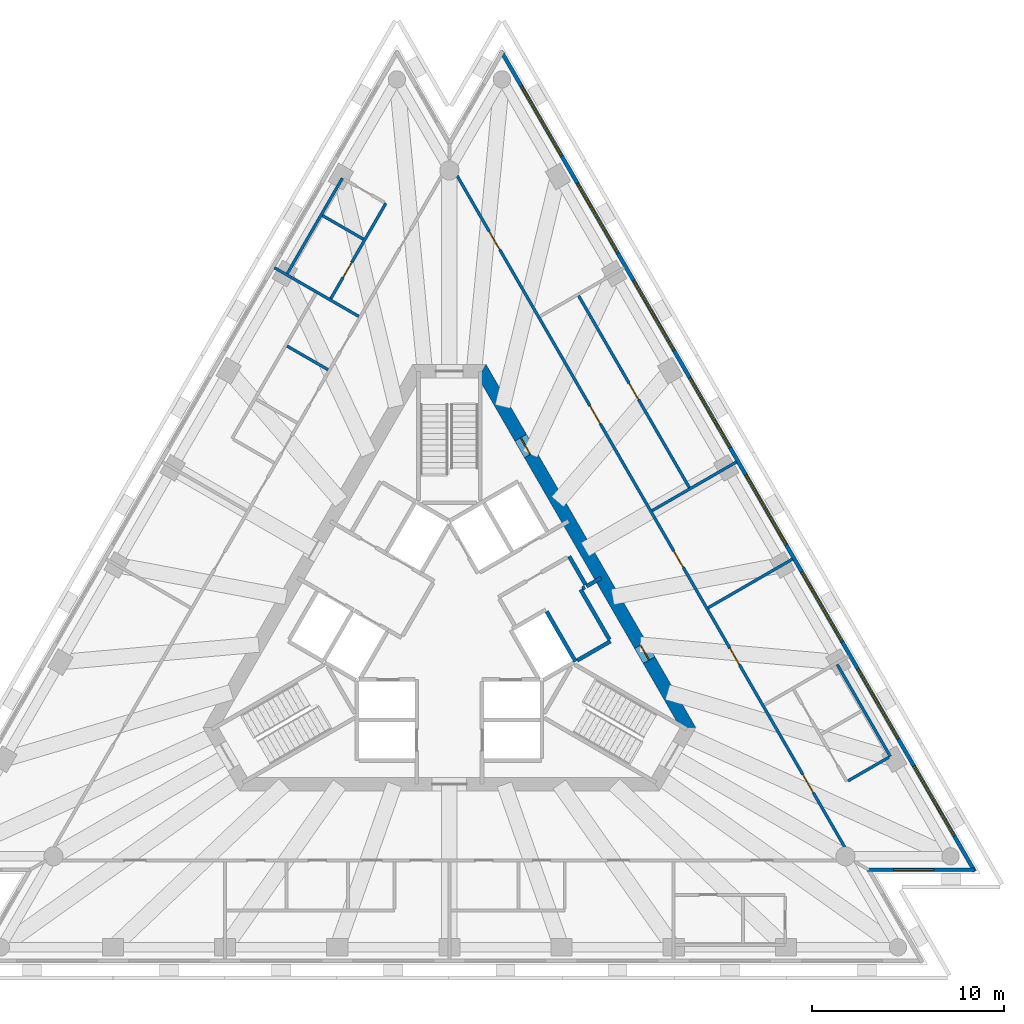
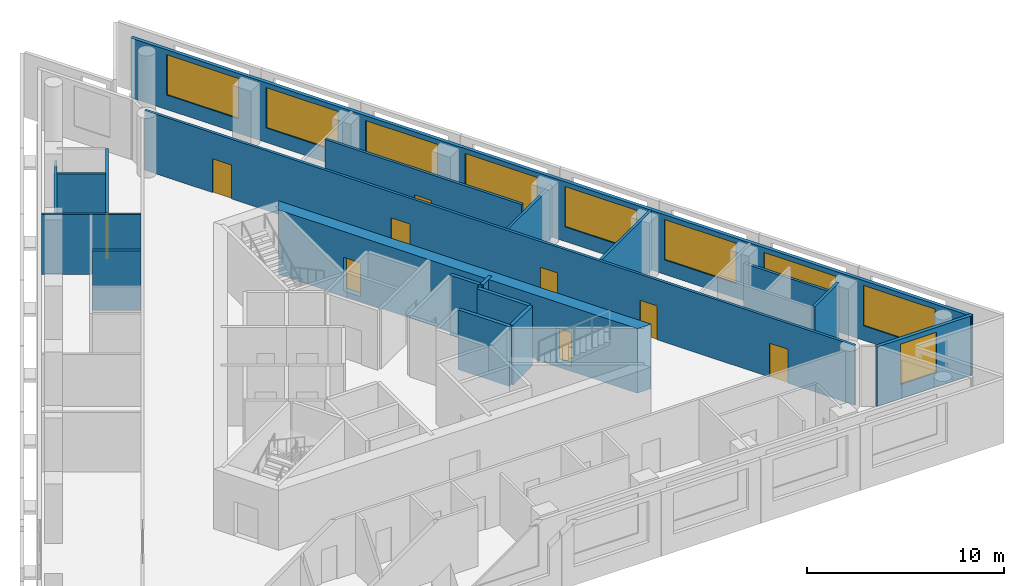
# One storey, part 6 of 10: 20 walls, 9 doors, 9 windows, 18 openings.
"""IFC4 building model written with IfcOpenShell, lengths in metres."""

from ifc_helpers import new_model, si_unit, direction, frame, frame_2d, origin, place, context, subcontext, project, spatial, polyline, rectangle, outline, extrude, material, layer, layer_set, layer_usage, type_object, element, fill, save


model = new_model("IFC4")

# Units and contexts
model_context = context("Model", 3, precision=1e-05, world=origin(), true_north=direction((0.0, 1.0)))
body_context = subcontext(model_context, "Body", "Model", "MODEL_VIEW")
ifc_project = project(units=[si_unit("LENGTHUNIT", "METRE"), si_unit("AREAUNIT", "SQUARE_METRE"), si_unit("VOLUMEUNIT", "CUBIC_METRE"), si_unit("PLANEANGLEUNIT", "RADIAN"), si_unit("MASSUNIT", "GRAM", prefix="KILO")], contexts=[model_context])

# Site, building, storey
site_placement = place(None, origin())
site = spatial("IfcSite", under=ifc_project, at=site_placement, CompositionType="ELEMENT")
building_placement = place(site_placement, origin())
building = spatial("IfcBuilding", under=site, at=building_placement, Name="Triada Interchange Tower", CompositionType="ELEMENT")
storey_placement = place(building_placement, frame((0.0, 0.0, 243.300048828125)))
storey = spatial("IfcBuildingStorey", under=building, at=storey_placement, Name="L57", CompositionType="ELEMENT", Elevation=243.300048828125)

# Walls
ifc_material_1 = material(Name="Concrete C30/37", Category="concrete")
ifc_layer_1 = layer(ifc_material_1, 0.199951171875)
ifc_layer_set_1 = layer_set([ifc_layer_1], Name="CORE WALL 200 EI 120")
wall_type_1 = type_object("IfcWallType", Name="CORE WALL 200 EI 120", PredefinedType="SOLIDWALL", material=ifc_layer_set_1)
wall_1_placement = place(storey_placement, frame((7.12890625, 2.153076171875, 0.0), z_axis=(0.0, 0.0, 1.0), x_axis=(0.866083962871, 0.499898558967, 0.0)))
element("IfcWall", 1, at=wall_1_placement, inside=storey, type_object=wall_type_1, Name="Wall L56 58", PredefinedType="SOLIDWALL", context=body_context, shape_type="SweptSolid", body=[
    extrude(rectangle(XDim=0.880126953125, YDim=0.199951171875, at=frame_2d((0.43994140625, 0.0))), origin(), (0.0, 0.0, 1.0), 3.699951171875),
])
wall_2_placement = place(storey_placement, frame((5.056884765625, 0.841064453125, 0.0), z_axis=(0.0, 0.0, 1.0), x_axis=(0.499990139034, -0.866031096941, 0.0)))
element("IfcWall", 2, at=wall_2_placement, inside=storey, type_object=wall_type_1, Name="Wall L56 61", PredefinedType="SOLIDWALL", context=body_context, shape_type="SweptSolid", body=[
    extrude(rectangle(XDim=3.0, YDim=0.199951171875, at=frame_2d((1.5, 0.0))), origin(), (0.0, 0.0, 1.0), 3.699951171875),
])
wall_3_placement = place(storey_placement, frame((6.22900390625, 3.7119140625, 0.0), z_axis=(0.0, 0.0, 1.0), x_axis=(0.499875724984, -0.86609714211, 0.0)))
element("IfcWall", 3, at=wall_3_placement, inside=storey, type_object=wall_type_1, Name="Wall L56 63", PredefinedType="SOLIDWALL", context=body_context, shape_type="SweptSolid", body=[
    extrude(rectangle(XDim=1.70068359375, YDim=0.199951171875, at=frame_2d((0.850341796875, 0.0))), origin(), (0.0, 0.0, 1.0), 3.699951171875),
])
ifc_layer_2 = layer(ifc_material_1, 0.199951171875)
ifc_layer_set_2 = layer_set([ifc_layer_2], Name="CORE WALL 200 EI 90")
wall_type_2 = type_object("IfcWallType", Name="CORE WALL 200 EI 90", PredefinedType="SOLIDWALL", material=ifc_layer_set_2)
wall_4_placement = place(storey_placement, frame((6.64208984375, -1.7080078125, 0.0), z_axis=(0.0, 0.0, 1.0), x_axis=(0.866043441391, 0.499968756647, 0.0)))
element("IfcWall", 4, at=wall_4_placement, inside=storey, type_object=wall_type_2, Name="Wall L56 81", PredefinedType="SOLIDWALL", context=body_context, shape_type="SweptSolid", body=[
    extrude(rectangle(XDim=2.002197265625, YDim=0.199951171875, at=frame_2d((1.0009765625, 0.0))), origin(), (0.0, 0.0, 1.0), 3.699951171875),
])
wall_5_placement = place(storey_placement, frame((6.825927734375, 1.97802734375, 0.0), z_axis=(0.0, 0.0, 1.0), x_axis=(0.499990139034, -0.866031096941, 0.0)))
element("IfcWall", 5, at=wall_5_placement, inside=storey, type_object=wall_type_2, Name="Wall L56 82", PredefinedType="SOLIDWALL", context=body_context, shape_type="SweptSolid", body=[
    extrude(rectangle(XDim=3.0, YDim=0.199951171875, at=frame_2d((1.5, 0.0))), origin(), (0.0, 0.0, 1.0), 3.699951171875),
])
wall_6_placement = place(storey_placement, frame((6.912109375, 2.028076171875, 0.0), z_axis=(0.0, 0.0, 1.0), x_axis=(0.866559367082, 0.499074005857, 0.0)))
element("IfcWall", 6, at=wall_6_placement, inside=storey, type_object=wall_type_2, Name="Wall L56 83", PredefinedType="SOLIDWALL", context=body_context, shape_type="SweptSolid", body=[
    extrude(rectangle(XDim=0.152099609375, YDim=0.199951171875, at=frame_2d((0.076171875, 0.0))), origin(), (0.0, 0.0, 1.0), 3.699951171875),
])

# Wall, openings, doors
ifc_material_2 = material(Name="Concrete C50/60", Category="concrete")
ifc_layer_3 = layer(ifc_material_2, 0.699951171875)
ifc_layer_set_3 = layer_set([ifc_layer_3], Name="Core wall C 700")
wall_type_3 = type_object("IfcWallType", Name="Core wall C 700", PredefinedType="SHEAR", material=ifc_layer_set_3)
wall_7_placement = place(storey_placement, frame((12.4130859375, -5.199951171875, -0.300048828125), z_axis=(0.0, 0.0, 1.0), x_axis=(-0.500011533395, 0.866018744874, 0.0)))
wall_7 = element("IfcWall", 7, at=wall_7_placement, inside=storey, type_object=wall_type_3, Name="Core wall WC06 L57", PredefinedType="SHEAR", context=body_context, shape_type="SweptSolid", body=[
    extrude(outline(polyline([(-0.201904296875, -0.35009765625), (1.781982421875, -0.35009765625), (3.76611328125, -0.35009765625), (5.75, -0.35009765625), (7.734130859375, -0.35009765625), (9.718017578125, -0.35009765625), (11.7021484375, -0.35009765625), (13.68603515625, -0.35009765625), (15.670166015625, -0.35009765625), (17.654052734375, -0.35009765625), (19.63818359375, -0.35009765625), (21.6220703125, -0.35009765625), (21.218017578125, 0.35009765625), (19.307373046875, 0.35009765625), (17.39697265625, 0.35009765625), (15.486328125, 0.35009765625), (13.57568359375, 0.35009765625), (11.665283203125, 0.35009765625), (9.754638671875, 0.35009765625), (7.84423828125, 0.35009765625), (5.93359375, 0.35009765625), (4.02294921875, 0.35009765625), (2.112548828125, 0.35009765625), (0.201904296875, 0.35009765625), (-0.201904296875, -0.35009765625)])), origin(), (0.0, 0.0, 1.0), 4.0),
])
opening_1_placement = place(wall_7_placement, frame((4.054931640625, 0.0, 0.300048828125)))
opening_1 = element("IfcOpeningElement", 8, at=opening_1_placement, cuts=wall_7, Name="Opening D56-44", PredefinedType="OPENING", context=body_context, shape_type="SweptSolid", body=[
    extrude(rectangle(XDim=0.89990234375, YDim=2.10009765625, at=frame_2d((0.449951171875, 1.050048828125))), frame((0.0, 0.360107421875, 0.0), z_axis=(0.0, -1.0, 0.0), x_axis=(1.0, 0.0, 0.0)), (0.0, 0.0, 1.0), 0.72021484375),
])
opening_2_placement = place(wall_7_placement, frame((16.4150390625, 0.0, 0.300048828125)))
opening_2 = element("IfcOpeningElement", 9, at=opening_2_placement, cuts=wall_7, Name="Opening D56-45", PredefinedType="OPENING", context=body_context, shape_type="SweptSolid", body=[
    extrude(rectangle(XDim=1.0, YDim=2.10009765625, at=frame_2d((0.5, 1.050048828125))), frame((0.0, 0.360107421875, 0.0), z_axis=(0.0, -1.0, 0.0), x_axis=(1.0, 0.0, 0.0)), (0.0, 0.0, 1.0), 0.72021484375),
])
ifc_material_3 = material(Name="Steel S235 door leaf", Category="steel")
door_type_1 = type_object("IfcDoorType", Name="SERVICE DOOR 1000 EI2 45-C5S200", OperationType="NOTDEFINED", PredefinedType="DOOR", material=ifc_material_3)
door_1_placement = place(opening_2_placement, origin())
door_1 = element("IfcDoor", 10, at=door_1_placement, inside=storey, type_object=door_type_1, Name="Door D56-45 L57", OperationType="SINGLE_SWING_RIGHT", OverallHeight=2.10009765625, OverallWidth=1.0, PredefinedType="DOOR", context=body_context, shape_type="SweptSolid", body=[
    extrude(rectangle(XDim=1.0, YDim=2.10009765625, at=frame_2d((0.5, 1.050048828125))), frame((0.0, 0.02490234375, 0.0), z_axis=(0.0, -1.0, 0.0), x_axis=(1.0, 0.0, 0.0)), (0.0, 0.0, 1.0), 0.050048828125),
])
fill(opening_2, door_1)
door_type_2 = type_object("IfcDoorType", Name="SERVICE DOOR 900 EI2 45-C5S200", OperationType="NOTDEFINED", PredefinedType="DOOR", material=ifc_material_3)
door_2_placement = place(opening_1_placement, origin())
door_2 = element("IfcDoor", 11, at=door_2_placement, inside=storey, type_object=door_type_2, Name="Door D56-44 L57", OperationType="SINGLE_SWING_RIGHT", OverallHeight=2.10009765625, OverallWidth=0.89990234375, PredefinedType="DOOR", context=body_context, shape_type="SweptSolid", body=[
    extrude(rectangle(XDim=0.89990234375, YDim=2.10009765625, at=frame_2d((0.449951171875, 1.050048828125))), frame((0.0, 0.02490234375, 0.0), z_axis=(0.0, -1.0, 0.0), x_axis=(1.0, 0.0, 0.0)), (0.0, 0.0, 1.0), 0.050048828125),
])
fill(opening_1, door_2)

# Wall, opening, window
ifc_material_4 = material(Name="Cement board")
ifc_layer_4 = layer(ifc_material_4, 0.02001953125, Name="Cement board cladding")
ifc_material_5 = material(Name="Sheathing board")
ifc_layer_5 = layer(ifc_material_5, 0.014892578125, Name="Sheathing board")
ifc_material_6 = material(Name="Mineral wool")
ifc_layer_6 = layer(ifc_material_6, 0.14990234375, Name="Mineral wool between steel studs")
ifc_material_7 = material(Name="Gypsum board")
ifc_layer_7 = layer(ifc_material_7, 0.014892578125, Name="Plasterboard lining")
ifc_layer_set_4 = layer_set([ifc_layer_4, ifc_layer_5, ifc_layer_6, ifc_layer_7], Name="External wall 200")
ifc_layer_usage = layer_usage(ifc_layer_set_4, "AXIS2", "POSITIVE", -0.10009765625)
wall_type_4 = type_object("IfcWallType", Name="External wall 200", PredefinedType="ELEMENTEDWALL", material=ifc_layer_set_4)
wall_8_placement = place(storey_placement, frame((21.720947265625, -12.593017578125, 0.0), z_axis=(0.0, 0.0, 1.0), x_axis=(1.0, 0.0, 0.0)))
wall_8 = element("IfcWall", 12, at=wall_8_placement, inside=storey, type_object=wall_type_4, material=ifc_layer_usage, Name="External wall L57 SE-2", PredefinedType="ELEMENTEDWALL", context=body_context, shape_type="SweptSolid", body=[
    extrude(rectangle(XDim=5.6240234375, YDim=0.199951171875, at=frame_2d((2.81201171875, 0.0))), origin(), (0.0, 0.0, 1.0), 3.699951171875),
])
opening_3_placement = place(wall_8_placement, frame((1.389892578125, 0.0, 0.89990234375)))
opening_3 = element("IfcOpeningElement", 13, at=opening_3_placement, cuts=wall_8, Name="Opening WC20", PredefinedType="OPENING", context=body_context, shape_type="SweptSolid", body=[
    extrude(rectangle(XDim=2.10009765625, YDim=2.5, at=frame_2d((1.050048828125, 1.25))), frame((0.0, 0.10986328125, 0.0), z_axis=(0.0, -1.0, 0.0), x_axis=(1.0, 0.0, 0.0)), (0.0, 0.0, 1.0), 0.219970703125),
])
ifc_material_8 = material(Name="Double glazed aluminium window", Category="aluminium")
window_type_1 = type_object("IfcWindowType", Name="Ribbon window C pocket", PartitioningType="SINGLE_PANEL", PredefinedType="WINDOW", material=ifc_material_8)
window_1_placement = place(opening_3_placement, origin())
window_1 = element("IfcWindow", 14, at=window_1_placement, inside=storey, type_object=window_type_1, Name="Window L57 SE-2 1", OverallHeight=2.5, OverallWidth=2.10009765625, PartitioningType="SINGLE_PANEL", PredefinedType="WINDOW", context=body_context, shape_type="SweptSolid", body=[
    extrude(rectangle(XDim=2.10009765625, YDim=2.5, at=frame_2d((1.050048828125, 1.25))), frame((0.0, 0.030029296875, 0.0), z_axis=(0.0, -1.0, 0.0), x_axis=(1.0, 0.0, 0.0)), (0.0, 0.0, 1.0), 0.06005859375),
])
fill(opening_3, window_1)

# Wall, openings, windows
wall_9_placement = place(storey_placement, frame((27.320068359375, -12.6708984375, 0.0), z_axis=(0.0, 0.0, 1.0), x_axis=(-0.499995097538, 0.866028234204, 0.0)))
wall_9 = element("IfcWall", 15, at=wall_9_placement, inside=storey, type_object=wall_type_4, material=ifc_layer_usage, Name="External wall L57 NE", PredefinedType="ELEMENTEDWALL", context=body_context, shape_type="SweptSolid", body=[
    extrude(rectangle(XDim=49.24658203125, YDim=0.199951171875, at=frame_2d((24.623291015625, 0.0))), origin(), (0.0, 0.0, 1.0), 3.699951171875),
])
opening_4_placement = place(wall_9_placement, frame((2.118896484375, 0.0, 0.89990234375)))
opening_4 = element("IfcOpeningElement", 16, at=opening_4_placement, cuts=wall_9, Name="Opening WC21", PredefinedType="OPENING", context=body_context, shape_type="SweptSolid", body=[
    extrude(rectangle(XDim=4.199951171875, YDim=2.5, at=frame_2d((2.10009765625, 1.25))), frame((0.0, 0.10986328125, 0.0), z_axis=(0.0, -1.0, 0.0), x_axis=(1.0, 0.0, 0.0)), (0.0, 0.0, 1.0), 0.219970703125),
])
opening_5_placement = place(wall_9_placement, frame((7.951904296875, 0.0, 0.89990234375)))
opening_5 = element("IfcOpeningElement", 17, at=opening_5_placement, cuts=wall_9, Name="Opening WC22", PredefinedType="OPENING", context=body_context, shape_type="SweptSolid", body=[
    extrude(rectangle(XDim=4.199951171875, YDim=2.5, at=frame_2d((2.10009765625, 1.25))), frame((0.0, 0.10986328125, 0.0), z_axis=(0.0, -1.0, 0.0), x_axis=(1.0, 0.0, 0.0)), (0.0, 0.0, 1.0), 0.219970703125),
])
opening_6_placement = place(wall_9_placement, frame((13.783935546875, 0.0, 0.89990234375)))
opening_6 = element("IfcOpeningElement", 18, at=opening_6_placement, cuts=wall_9, Name="Opening WC23", PredefinedType="OPENING", context=body_context, shape_type="SweptSolid", body=[
    extrude(rectangle(XDim=4.199951171875, YDim=2.5, at=frame_2d((2.10009765625, 1.25))), frame((0.0, 0.10986328125, 0.0), z_axis=(0.0, -1.0, 0.0), x_axis=(1.0, 0.0, 0.0)), (0.0, 0.0, 1.0), 0.219970703125),
])
opening_7_placement = place(wall_9_placement, frame((19.616943359375, 0.0, 0.89990234375)))
opening_7 = element("IfcOpeningElement", 19, at=opening_7_placement, cuts=wall_9, Name="Opening WC24", PredefinedType="OPENING", context=body_context, shape_type="SweptSolid", body=[
    extrude(rectangle(XDim=4.199951171875, YDim=2.5, at=frame_2d((2.10009765625, 1.25))), frame((0.0, 0.10986328125, 0.0), z_axis=(0.0, -1.0, 0.0), x_axis=(1.0, 0.0, 0.0)), (0.0, 0.0, 1.0), 0.219970703125),
])
opening_8_placement = place(wall_9_placement, frame((25.449951171875, 0.0, 0.89990234375)))
opening_8 = element("IfcOpeningElement", 20, at=opening_8_placement, cuts=wall_9, Name="Opening WC25", PredefinedType="OPENING", context=body_context, shape_type="SweptSolid", body=[
    extrude(rectangle(XDim=4.199951171875, YDim=2.5, at=frame_2d((2.10009765625, 1.25))), frame((0.0, 0.10986328125, 0.0), z_axis=(0.0, -1.0, 0.0), x_axis=(1.0, 0.0, 0.0)), (0.0, 0.0, 1.0), 0.219970703125),
])
opening_9_placement = place(wall_9_placement, frame((31.281982421875, 0.0, 0.89990234375)))
opening_9 = element("IfcOpeningElement", 21, at=opening_9_placement, cuts=wall_9, Name="Opening WC26", PredefinedType="OPENING", context=body_context, shape_type="SweptSolid", body=[
    extrude(rectangle(XDim=4.199951171875, YDim=2.5, at=frame_2d((2.10009765625, 1.25))), frame((0.0, 0.10986328125, 0.0), z_axis=(0.0, -1.0, 0.0), x_axis=(1.0, 0.0, 0.0)), (0.0, 0.0, 1.0), 0.219970703125),
])
opening_10_placement = place(wall_9_placement, frame((37.114990234375, 0.0, 0.89990234375)))
opening_10 = element("IfcOpeningElement", 22, at=opening_10_placement, cuts=wall_9, Name="Opening WC27", PredefinedType="OPENING", context=body_context, shape_type="SweptSolid", body=[
    extrude(rectangle(XDim=4.199951171875, YDim=2.5, at=frame_2d((2.10009765625, 1.25))), frame((0.0, 0.10986328125, 0.0), z_axis=(0.0, -1.0, 0.0), x_axis=(1.0, 0.0, 0.0)), (0.0, 0.0, 1.0), 0.219970703125),
])
opening_11_placement = place(wall_9_placement, frame((42.947021484375, 0.0, 0.89990234375)))
opening_11 = element("IfcOpeningElement", 23, at=opening_11_placement, cuts=wall_9, Name="Opening WC28", PredefinedType="OPENING", context=body_context, shape_type="SweptSolid", body=[
    extrude(rectangle(XDim=4.199951171875, YDim=2.5, at=frame_2d((2.10009765625, 1.25))), frame((0.0, 0.10986328125, 0.0), z_axis=(0.0, -1.0, 0.0), x_axis=(1.0, 0.0, 0.0)), (0.0, 0.0, 1.0), 0.219970703125),
])
window_type_2 = type_object("IfcWindowType", Name="Ribbon window C face", PartitioningType="SINGLE_PANEL", PredefinedType="WINDOW", material=ifc_material_8)
window_2_placement = place(opening_4_placement, origin())
window_2 = element("IfcWindow", 24, at=window_2_placement, inside=storey, type_object=window_type_2, Name="Window L57 NE 1", OverallHeight=2.5, OverallWidth=4.199951171875, PartitioningType="SINGLE_PANEL", PredefinedType="WINDOW", context=body_context, shape_type="SweptSolid", body=[
    extrude(rectangle(XDim=4.199951171875, YDim=2.5, at=frame_2d((2.10009765625, 1.25))), frame((0.0, 0.030029296875, 0.0), z_axis=(0.0, -1.0, 0.0), x_axis=(1.0, 0.0, 0.0)), (0.0, 0.0, 1.0), 0.06005859375),
])
fill(opening_4, window_2)
window_3_placement = place(opening_5_placement, origin())
window_3 = element("IfcWindow", 25, at=window_3_placement, inside=storey, type_object=window_type_2, Name="Window L57 NE 2", OverallHeight=2.5, OverallWidth=4.199951171875, PartitioningType="SINGLE_PANEL", PredefinedType="WINDOW", context=body_context, shape_type="SweptSolid", body=[
    extrude(rectangle(XDim=4.199951171875, YDim=2.5, at=frame_2d((2.10009765625, 1.25))), frame((0.0, 0.030029296875, 0.0), z_axis=(0.0, -1.0, 0.0), x_axis=(1.0, 0.0, 0.0)), (0.0, 0.0, 1.0), 0.06005859375),
])
fill(opening_5, window_3)
window_4_placement = place(opening_6_placement, origin())
window_4 = element("IfcWindow", 26, at=window_4_placement, inside=storey, type_object=window_type_2, Name="Window L57 NE 3", OverallHeight=2.5, OverallWidth=4.199951171875, PartitioningType="SINGLE_PANEL", PredefinedType="WINDOW", context=body_context, shape_type="SweptSolid", body=[
    extrude(rectangle(XDim=4.199951171875, YDim=2.5, at=frame_2d((2.10009765625, 1.25))), frame((0.0, 0.030029296875, 0.0), z_axis=(0.0, -1.0, 0.0), x_axis=(1.0, 0.0, 0.0)), (0.0, 0.0, 1.0), 0.06005859375),
])
fill(opening_6, window_4)
window_5_placement = place(opening_7_placement, origin())
window_5 = element("IfcWindow", 27, at=window_5_placement, inside=storey, type_object=window_type_2, Name="Window L57 NE 4", OverallHeight=2.5, OverallWidth=4.199951171875, PartitioningType="SINGLE_PANEL", PredefinedType="WINDOW", context=body_context, shape_type="SweptSolid", body=[
    extrude(rectangle(XDim=4.199951171875, YDim=2.5, at=frame_2d((2.10009765625, 1.25))), frame((0.0, 0.030029296875, 0.0), z_axis=(0.0, -1.0, 0.0), x_axis=(1.0, 0.0, 0.0)), (0.0, 0.0, 1.0), 0.06005859375),
])
fill(opening_7, window_5)
window_6_placement = place(opening_8_placement, origin())
window_6 = element("IfcWindow", 28, at=window_6_placement, inside=storey, type_object=window_type_2, Name="Window L57 NE 5", OverallHeight=2.5, OverallWidth=4.199951171875, PartitioningType="SINGLE_PANEL", PredefinedType="WINDOW", context=body_context, shape_type="SweptSolid", body=[
    extrude(rectangle(XDim=4.199951171875, YDim=2.5, at=frame_2d((2.10009765625, 1.25))), frame((0.0, 0.030029296875, 0.0), z_axis=(0.0, -1.0, 0.0), x_axis=(1.0, 0.0, 0.0)), (0.0, 0.0, 1.0), 0.06005859375),
])
fill(opening_8, window_6)
window_7_placement = place(opening_9_placement, origin())
window_7 = element("IfcWindow", 29, at=window_7_placement, inside=storey, type_object=window_type_2, Name="Window L57 NE 6", OverallHeight=2.5, OverallWidth=4.199951171875, PartitioningType="SINGLE_PANEL", PredefinedType="WINDOW", context=body_context, shape_type="SweptSolid", body=[
    extrude(rectangle(XDim=4.199951171875, YDim=2.5, at=frame_2d((2.10009765625, 1.25))), frame((0.0, 0.030029296875, 0.0), z_axis=(0.0, -1.0, 0.0), x_axis=(1.0, 0.0, 0.0)), (0.0, 0.0, 1.0), 0.06005859375),
])
fill(opening_9, window_7)
window_8_placement = place(opening_10_placement, origin())
window_8 = element("IfcWindow", 30, at=window_8_placement, inside=storey, type_object=window_type_2, Name="Window L57 NE 7", OverallHeight=2.5, OverallWidth=4.199951171875, PartitioningType="SINGLE_PANEL", PredefinedType="WINDOW", context=body_context, shape_type="SweptSolid", body=[
    extrude(rectangle(XDim=4.199951171875, YDim=2.5, at=frame_2d((2.10009765625, 1.25))), frame((0.0, 0.030029296875, 0.0), z_axis=(0.0, -1.0, 0.0), x_axis=(1.0, 0.0, 0.0)), (0.0, 0.0, 1.0), 0.06005859375),
])
fill(opening_10, window_8)
window_9_placement = place(opening_11_placement, origin())
window_9 = element("IfcWindow", 31, at=window_9_placement, inside=storey, type_object=window_type_2, Name="Window L57 NE 8", OverallHeight=2.5, OverallWidth=4.199951171875, PartitioningType="SINGLE_PANEL", PredefinedType="WINDOW", context=body_context, shape_type="SweptSolid", body=[
    extrude(rectangle(XDim=4.199951171875, YDim=2.5, at=frame_2d((2.10009765625, 1.25))), frame((0.0, 0.030029296875, 0.0), z_axis=(0.0, -1.0, 0.0), x_axis=(1.0, 0.0, 0.0)), (0.0, 0.0, 1.0), 0.06005859375),
])
fill(opening_11, window_9)

# Walls
ifc_material_9 = material(Name="Gypsum board partition")
ifc_layer_8 = layer(ifc_material_9, 0.14990234375)
ifc_layer_set_5 = layer_set([ifc_layer_8], Name="PARTITION 150 EI 180")
wall_type_5 = type_object("IfcWallType", Name="PARTITION 150 EI 180", PredefinedType="PARTITIONING", material=ifc_layer_set_5)
wall_10_placement = place(storey_placement, frame((10.5439453125, 6.087890625, 0.0), z_axis=(0.0, 0.0, 1.0), x_axis=(0.866065287345, 0.499930913282, 0.0)))
element("IfcWall", 32, at=wall_10_placement, inside=storey, type_object=wall_type_5, Name="Wall L56 2", PredefinedType="PARTITIONING", context=body_context, shape_type="SweptSolid", body=[
    extrude(rectangle(XDim=5.069091796875, YDim=0.14990234375, at=frame_2d((2.53466796875, 0.0))), origin(), (0.0, 0.0, 1.0), 3.199951171875),
])
wall_11_placement = place(storey_placement, frame((-9.10107421875, 18.72412109375, 0.0), z_axis=(0.0, 0.0, 1.0), x_axis=(0.866065287345, -0.499930913282, 0.0)))
element("IfcWall", 33, at=wall_11_placement, inside=storey, type_object=wall_type_5, Name="Wall L56 14", PredefinedType="PARTITIONING", context=body_context, shape_type="SweptSolid", body=[
    extrude(rectangle(XDim=5.069091796875, YDim=0.14990234375, at=frame_2d((2.53466796875, 0.0))), origin(), (0.0, 0.0, 1.0), 3.699951171875),
])
wall_12_placement = place(storey_placement, frame((-8.444091796875, 14.64892578125, 0.0), z_axis=(0.0, 0.0, 1.0), x_axis=(0.86612451545, -0.499828294254, 0.0)))
element("IfcWall", 34, at=wall_12_placement, inside=storey, type_object=wall_type_5, Name="Wall L56 15", PredefinedType="PARTITIONING", context=body_context, shape_type="SweptSolid", body=[
    extrude(rectangle(XDim=2.462646484375, YDim=0.14990234375, at=frame_2d((1.2314453125, 0.0))), origin(), (0.0, 0.0, 1.0), 3.699951171875),
])

# Wall, openings, doors
wall_13_placement = place(storey_placement, frame((0.074951171875, 24.070068359375, 0.0), z_axis=(0.0, 0.0, 1.0), x_axis=(0.500006834213, -0.866021458014, 0.0)))
wall_13 = element("IfcWall", 35, at=wall_13_placement, inside=storey, type_object=wall_type_5, Name="Wall L56 21", PredefinedType="PARTITIONING", context=body_context, shape_type="SweptSolid", body=[
    extrude(rectangle(XDim=41.61572265625, YDim=0.14990234375, at=frame_2d((20.807861328125, 0.0))), origin(), (0.0, 0.0, 1.0), 3.699951171875),
])
opening_12_placement = place(wall_13_placement, frame((36.615966796875, 0.0, 0.0)))
opening_12 = element("IfcOpeningElement", 36, at=opening_12_placement, cuts=wall_13, Name="Opening D56-22", PredefinedType="OPENING", context=body_context, shape_type="SweptSolid", body=[
    extrude(rectangle(XDim=1.10009765625, YDim=2.10009765625, at=frame_2d((0.550048828125, 1.050048828125))), frame((0.0, 0.0849609375, 0.0), z_axis=(0.0, -1.0, 0.0), x_axis=(1.0, 0.0, 0.0)), (0.0, 0.0, 1.0), 0.169921875),
])
opening_13_placement = place(wall_13_placement, frame((29.02392578125, 0.0, 0.0)))
opening_13 = element("IfcOpeningElement", 37, at=opening_13_placement, cuts=wall_13, Name="Opening D56-25", PredefinedType="OPENING", context=body_context, shape_type="SweptSolid", body=[
    extrude(rectangle(XDim=1.0, YDim=2.10009765625, at=frame_2d((0.5, 1.050048828125))), frame((0.0, 0.0849609375, 0.0), z_axis=(0.0, -1.0, 0.0), x_axis=(1.0, 0.0, 0.0)), (0.0, 0.0, 1.0), 0.169921875),
])
opening_14_placement = place(wall_13_placement, frame((23.18994140625, 0.0, 0.0)))
opening_14 = element("IfcOpeningElement", 38, at=opening_14_placement, cuts=wall_13, Name="Opening D56-26", PredefinedType="OPENING", context=body_context, shape_type="SweptSolid", body=[
    extrude(rectangle(XDim=1.0, YDim=2.10009765625, at=frame_2d((0.5, 1.050048828125))), frame((0.0, 0.0849609375, 0.0), z_axis=(0.0, -1.0, 0.0), x_axis=(1.0, 0.0, 0.0)), (0.0, 0.0, 1.0), 0.169921875),
])
opening_15_placement = place(wall_13_placement, frame((14.4580078125, 0.0, 0.0)))
opening_15 = element("IfcOpeningElement", 39, at=opening_15_placement, cuts=wall_13, Name="Opening D56-27", PredefinedType="OPENING", context=body_context, shape_type="SweptSolid", body=[
    extrude(rectangle(XDim=1.10009765625, YDim=2.10009765625, at=frame_2d((0.550048828125, 1.050048828125))), frame((0.0, 0.0849609375, 0.0), z_axis=(0.0, -1.0, 0.0), x_axis=(1.0, 0.0, 0.0)), (0.0, 0.0, 1.0), 0.169921875),
])
opening_16_placement = place(wall_13_placement, frame((3.992919921875, 0.0, 0.0)))
opening_16 = element("IfcOpeningElement", 40, at=opening_16_placement, cuts=wall_13, Name="Opening D56-29", PredefinedType="OPENING", context=body_context, shape_type="SweptSolid", body=[
    extrude(rectangle(XDim=1.10009765625, YDim=2.10009765625, at=frame_2d((0.550048828125, 1.050048828125))), frame((0.0, 0.0849609375, 0.0), z_axis=(0.0, -1.0, 0.0), x_axis=(1.0, 0.0, 0.0)), (0.0, 0.0, 1.0), 0.169921875),
])
door_type_3 = type_object("IfcDoorType", Name="ROOM DOOR 1000 EI2 90-C5S200", OperationType="NOTDEFINED", PredefinedType="DOOR", material=ifc_material_3)
door_3_placement = place(opening_13_placement, origin())
door_3 = element("IfcDoor", 41, at=door_3_placement, inside=storey, type_object=door_type_3, Name="Door D56-25 L57", OperationType="SINGLE_SWING_RIGHT", OverallHeight=2.10009765625, OverallWidth=1.0, PredefinedType="DOOR", context=body_context, shape_type="SweptSolid", body=[
    extrude(rectangle(XDim=1.0, YDim=2.10009765625, at=frame_2d((0.5, 1.050048828125))), frame((0.0, 0.02490234375, 0.0), z_axis=(0.0, -1.0, 0.0), x_axis=(1.0, 0.0, 0.0)), (0.0, 0.0, 1.0), 0.050048828125),
])
fill(opening_13, door_3)
door_4_placement = place(opening_14_placement, origin())
door_4 = element("IfcDoor", 42, at=door_4_placement, inside=storey, type_object=door_type_3, Name="Door D56-26 L57", OperationType="SINGLE_SWING_RIGHT", OverallHeight=2.10009765625, OverallWidth=1.0, PredefinedType="DOOR", context=body_context, shape_type="SweptSolid", body=[
    extrude(rectangle(XDim=1.0, YDim=2.10009765625, at=frame_2d((0.5, 1.050048828125))), frame((0.0, 0.02490234375, 0.0), z_axis=(0.0, -1.0, 0.0), x_axis=(1.0, 0.0, 0.0)), (0.0, 0.0, 1.0), 0.050048828125),
])
fill(opening_14, door_4)
door_type_4 = type_object("IfcDoorType", Name="TENANCY ENTRANCE DOOR 1100 EI2 90-C5S200", OperationType="NOTDEFINED", PredefinedType="DOOR", material=ifc_material_3)
door_5_placement = place(opening_12_placement, origin())
door_5 = element("IfcDoor", 43, at=door_5_placement, inside=storey, type_object=door_type_4, Name="Door D56-22 L57", OperationType="SINGLE_SWING_RIGHT", OverallHeight=2.10009765625, OverallWidth=1.10009765625, PredefinedType="DOOR", context=body_context, shape_type="SweptSolid", body=[
    extrude(rectangle(XDim=1.10009765625, YDim=2.10009765625, at=frame_2d((0.550048828125, 1.050048828125))), frame((0.0, 0.02490234375, 0.0), z_axis=(0.0, -1.0, 0.0), x_axis=(1.0, 0.0, 0.0)), (0.0, 0.0, 1.0), 0.050048828125),
])
fill(opening_12, door_5)
door_6_placement = place(opening_15_placement, origin())
door_6 = element("IfcDoor", 44, at=door_6_placement, inside=storey, type_object=door_type_4, Name="Door D56-27 L57", OperationType="SINGLE_SWING_LEFT", OverallHeight=2.10009765625, OverallWidth=1.10009765625, PredefinedType="DOOR", context=body_context, shape_type="SweptSolid", body=[
    extrude(rectangle(XDim=1.10009765625, YDim=2.10009765625, at=frame_2d((0.550048828125, 1.050048828125))), frame((0.0, 0.02490234375, 0.0), z_axis=(0.0, -1.0, 0.0), x_axis=(1.0, 0.0, 0.0)), (0.0, 0.0, 1.0), 0.050048828125),
])
fill(opening_15, door_6)
door_7_placement = place(opening_16_placement, origin())
door_7 = element("IfcDoor", 45, at=door_7_placement, inside=storey, type_object=door_type_4, Name="Door D56-29 L57", OperationType="SINGLE_SWING_LEFT", OverallHeight=2.10009765625, OverallWidth=1.10009765625, PredefinedType="DOOR", context=body_context, shape_type="SweptSolid", body=[
    extrude(rectangle(XDim=1.10009765625, YDim=2.10009765625, at=frame_2d((0.550048828125, 1.050048828125))), frame((0.0, 0.02490234375, 0.0), z_axis=(0.0, -1.0, 0.0), x_axis=(1.0, 0.0, 0.0)), (0.0, 0.0, 1.0), 0.050048828125),
])
fill(opening_16, door_7)

# Walls
wall_14_placement = place(storey_placement, frame((13.4599609375, 1.037109375, 0.0), z_axis=(0.0, 0.0, 1.0), x_axis=(0.866086140321, 0.499894786475, 0.0)))
element("IfcWall", 46, at=wall_14_placement, inside=storey, type_object=wall_type_5, Name="Wall L56 26", PredefinedType="PARTITIONING", context=body_context, shape_type="SweptSolid", body=[
    extrude(rectangle(XDim=5.06884765625, YDim=0.14990234375, at=frame_2d((2.534423828125, 0.0))), origin(), (0.0, 0.0, 1.0), 3.699951171875),
])
ifc_layer_9 = layer(ifc_material_9, 0.14990234375)
ifc_layer_set_6 = layer_set([ifc_layer_9], Name="PARTITION 150 EI 90")
wall_type_6 = type_object("IfcWallType", Name="PARTITION 150 EI 90", PredefinedType="PARTITIONING", material=ifc_layer_set_6)
wall_15_placement = place(storey_placement, frame((-8.429931640625, 18.423095703125, 0.0), z_axis=(0.0, 0.0, 1.0), x_axis=(0.500069422629, 0.865985318901, 0.0)))
element("IfcWall", 47, at=wall_15_placement, inside=storey, type_object=wall_type_6, Name="Wall L56 28", PredefinedType="PARTITIONING", context=body_context, shape_type="SweptSolid", body=[
    extrude(rectangle(XDim=5.725341796875, YDim=0.14990234375, at=frame_2d((2.86279296875, 0.0))), origin(), (0.0, 0.0, 1.0), 2.949951171875),
])

# Wall, opening, door
wall_16_placement = place(storey_placement, frame((-6.16796875, 17.116943359375, 0.0), z_axis=(0.0, 0.0, 1.0), x_axis=(0.500069422629, 0.865985318901, 0.0)))
wall_16 = element("IfcWall", 48, at=wall_16_placement, inside=storey, type_object=wall_type_6, Name="Wall L56 29", PredefinedType="PARTITIONING", context=body_context, shape_type="SweptSolid", body=[
    extrude(rectangle(XDim=5.725341796875, YDim=0.14990234375, at=frame_2d((2.86279296875, 0.0))), origin(), (0.0, 0.0, 1.0), 3.699951171875),
])
opening_17_placement = place(wall_16_placement, frame((1.27490234375, 0.0, 0.0)))
opening_17 = element("IfcOpeningElement", 49, at=opening_17_placement, cuts=wall_16, Name="Opening D56-31", PredefinedType="OPENING", context=body_context, shape_type="SweptSolid", body=[
    extrude(rectangle(XDim=0.89990234375, YDim=2.10009765625, at=frame_2d((0.449951171875, 1.050048828125))), frame((0.0, 0.0849609375, 0.0), z_axis=(0.0, -1.0, 0.0), x_axis=(1.0, 0.0, 0.0)), (0.0, 0.0, 1.0), 0.169921875),
])
door_type_5 = type_object("IfcDoorType", Name="ROOM DOOR 900 EI2 45-C5S200", OperationType="NOTDEFINED", PredefinedType="DOOR", material=ifc_material_3)
door_8_placement = place(opening_17_placement, origin())
door_8 = element("IfcDoor", 50, at=door_8_placement, inside=storey, type_object=door_type_5, Name="Door D56-31 L57", OperationType="SINGLE_SWING_LEFT", OverallHeight=2.10009765625, OverallWidth=0.89990234375, PredefinedType="DOOR", context=body_context, shape_type="SweptSolid", body=[
    extrude(rectangle(XDim=0.89990234375, YDim=2.10009765625, at=frame_2d((0.449951171875, 1.050048828125))), frame((0.0, 0.02490234375, 0.0), z_axis=(0.0, -1.0, 0.0), x_axis=(1.0, 0.0, 0.0)), (0.0, 0.0, 1.0), 0.050048828125),
])
fill(opening_17, door_8)

# Wall
wall_17_placement = place(storey_placement, frame((-6.60205078125, 21.43798828125, 0.0), z_axis=(0.0, 0.0, 1.0), x_axis=(0.866025399526, -0.500000007376, 0.0)))
element("IfcWall", 51, at=wall_17_placement, inside=storey, type_object=wall_type_6, Name="Wall L56 31", PredefinedType="PARTITIONING", context=body_context, shape_type="SweptSolid", body=[
    extrude(rectangle(XDim=2.4619140625, YDim=0.14990234375, at=frame_2d((1.23095703125, 0.0))), origin(), (0.0, 0.0, 1.0), 3.699951171875),
])

# Wall, opening, door
wall_18_placement = place(storey_placement, frame((6.719970703125, 17.262939453125, 0.0), z_axis=(0.0, 0.0, 1.0), x_axis=(0.499949415664, -0.866054606695, 0.0)))
wall_18 = element("IfcWall", 52, at=wall_18_placement, inside=storey, type_object=wall_type_6, Name="Wall L56 32", PredefinedType="PARTITIONING", context=body_context, shape_type="SweptSolid", body=[
    extrude(rectangle(XDim=11.515380859375, YDim=0.14990234375, at=frame_2d((5.7578125, 0.0))), origin(), (0.0, 0.0, 1.0), 3.699951171875),
])
opening_18_placement = place(wall_18_placement, frame((5.239990234375, 0.0, 0.0)))
opening_18 = element("IfcOpeningElement", 53, at=opening_18_placement, cuts=wall_18, Name="Opening D56-28", PredefinedType="OPENING", context=body_context, shape_type="SweptSolid", body=[
    extrude(rectangle(XDim=1.0, YDim=2.10009765625, at=frame_2d((0.5, 1.050048828125))), frame((0.0, 0.0849609375, 0.0), z_axis=(0.0, -1.0, 0.0), x_axis=(1.0, 0.0, 0.0)), (0.0, 0.0, 1.0), 0.169921875),
])
door_type_6 = type_object("IfcDoorType", Name="ROOM DOOR 1000 EI2 45-C5S200", OperationType="NOTDEFINED", PredefinedType="DOOR", material=ifc_material_3)
door_9_placement = place(opening_18_placement, origin())
door_9 = element("IfcDoor", 54, at=door_9_placement, inside=storey, type_object=door_type_6, Name="Door D56-28 L57", OperationType="SINGLE_SWING_RIGHT", OverallHeight=2.10009765625, OverallWidth=1.0, PredefinedType="DOOR", context=body_context, shape_type="SweptSolid", body=[
    extrude(rectangle(XDim=1.0, YDim=2.10009765625, at=frame_2d((0.5, 1.050048828125))), frame((0.0, 0.02490234375, 0.0), z_axis=(0.0, -1.0, 0.0), x_axis=(1.0, 0.0, 0.0)), (0.0, 0.0, 1.0), 0.050048828125),
])
fill(opening_18, door_9)

# Walls
wall_19_placement = place(storey_placement, frame((20.169921875, -1.912109375, 0.0), z_axis=(0.0, 0.0, 1.0), x_axis=(0.500083244257, -0.865977337356, 0.0)))
element("IfcWall", 55, at=wall_19_placement, inside=storey, type_object=wall_type_6, Name="Wall L56 38", PredefinedType="PARTITIONING", context=body_context, shape_type="SweptSolid", body=[
    extrude(rectangle(XDim=5.525390625, YDim=0.14990234375, at=frame_2d((2.7626953125, 0.0))), origin(), (0.0, 0.0, 1.0), 2.949951171875),
])
wall_20_placement = place(storey_placement, frame((20.736083984375, -7.965087890625, 0.0), z_axis=(0.0, 0.0, 1.0), x_axis=(0.865957656801, 0.500117322864, 0.0)))
element("IfcWall", 56, at=wall_20_placement, inside=storey, type_object=wall_type_6, Name="Wall L56 40", PredefinedType="PARTITIONING", context=body_context, shape_type="SweptSolid", body=[
    extrude(rectangle(XDim=2.4619140625, YDim=0.14990234375, at=frame_2d((1.23095703125, 0.0))), origin(), (0.0, 0.0, 1.0), 3.699951171875),
])

save(model, "model.ifc")
